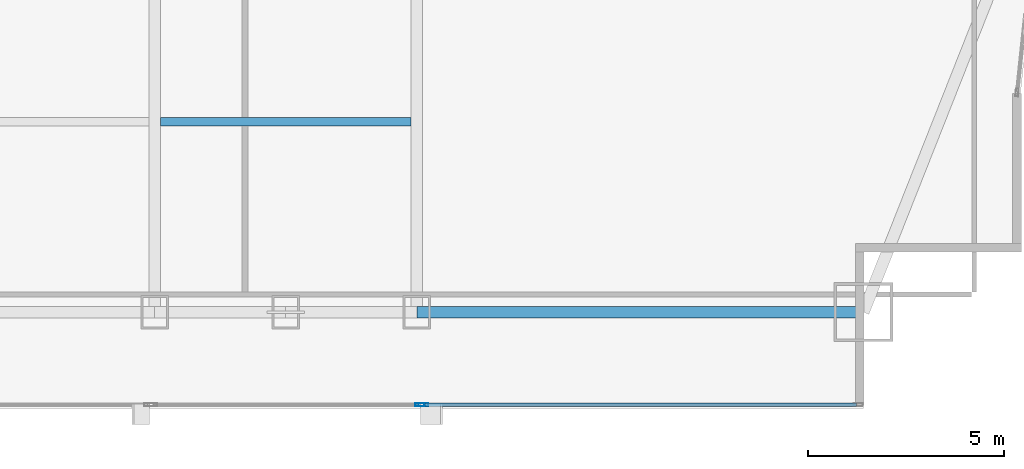
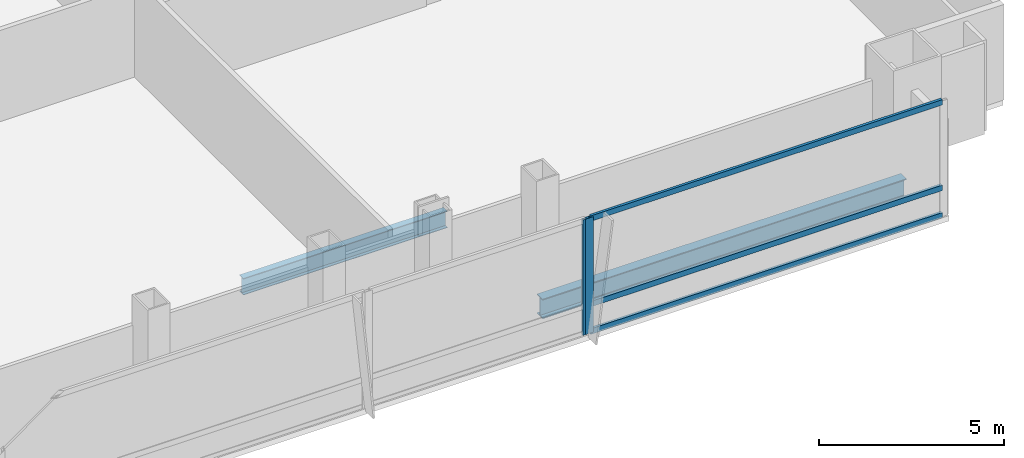
# One storey, part 15 of 30: 5 members, 2 beams, 2 elements without a shape of their own.
"""IFC4 building model written with IfcOpenShell, lengths in metres."""

import ifcopenshell
import ifcopenshell.guid

model = None  # the IFC model being written
_history = None  # IfcOwnerHistory: only IFC2X3 demands one
_inside = {}  # id of a spatial element -> (the spatial element, [elements in it])
_under = {}  # id of a project, library or spatial element -> (it, [spatial elements below it])
_declared = {}  # id of a project -> (the project, [libraries it declares])
_typed = {}  # id of a type object -> (the type object, [elements of that type])
_made_of = {}  # id of a material, layer set ... -> (it, [elements and type objects made of it])


def new_model(schema):
    """Start an empty IFC model of exactly this schema.

    Asked for "IFC4X3", IfcOpenShell would pick the latest addendum, in which some entities
    have other attributes; the version numbers below select the first issue.
    IFC2X3 requires an IfcOwnerHistory on every rooted entity: one is made here for all.
    """
    global model, _history
    if schema == "IFC4X3":
        model = ifcopenshell.file(schema_version=(4, 3, 0, 0))
    else:
        model = ifcopenshell.file(schema=schema)
    _inside.clear()
    _under.clear()
    _declared.clear()
    _typed.clear()
    _made_of.clear()
    _history = None
    if model.schema == "IFC2X3":
        org = make("IfcOrganization", Name="unknown")
        user = make(
            "IfcPersonAndOrganization",
            ThePerson=make("IfcPerson", FamilyName="unknown"),
            TheOrganization=org,
        )
        app = make(
            "IfcApplication",
            ApplicationDeveloper=org,
            Version="unknown",
            ApplicationFullName="unknown",
            ApplicationIdentifier="unknown",
        )
        _history = make(
            "IfcOwnerHistory",
            OwningUser=user,
            OwningApplication=app,
            ChangeAction="ADDED",
            CreationDate=0,
        )
    return model


def make(cls, **values):
    """One entity of the class cls with the attributes given. An attribute that is None is left unset."""
    return model.create_entity(
        cls, **{name: value for name, value in values.items() if value is not None}
    )


def rooted(cls, **values):
    """An entity with a GlobalId (a new one), such as an element, a storey or a relation."""
    return make(cls, GlobalId=ifcopenshell.guid.new(), OwnerHistory=_history, **values)


def si_unit(unit_type, name, prefix=None):
    """IfcSIUnit, for example si_unit("LENGTHUNIT", "METRE", prefix="MILLI")."""
    return make("IfcSIUnit", UnitType=unit_type, Prefix=prefix, Name=name)


def assignment(units):
    """IfcUnitAssignment: the units of a project."""
    return None if units is None else make("IfcUnitAssignment", Units=units)


def point(xyz):
    """IfcCartesianPoint."""
    return None if xyz is None else make("IfcCartesianPoint", Coordinates=xyz)


def direction(xyz):
    """IfcDirection."""
    return None if xyz is None else make("IfcDirection", DirectionRatios=xyz)


def frame(location, z_axis=None, x_axis=None):
    """IfcAxis2Placement3D, a coordinate frame: its origin and axes. An axis left out is left unset."""
    return make(
        "IfcAxis2Placement3D",
        Location=point(location),
        Axis=direction(z_axis),
        RefDirection=direction(x_axis),
    )


def frame_2d(location, x_axis=None):
    """IfcAxis2Placement2D, a coordinate frame in the plane: its origin and x axis."""
    return make(
        "IfcAxis2Placement2D", Location=point(location), RefDirection=direction(x_axis)
    )


def origin():
    """The frame at (0, 0, 0) with its axes left unset."""
    return frame((0.0, 0.0, 0.0))


def origin_2d():
    """The frame at (0, 0) in the plane with its x axis left unset."""
    return frame_2d((0.0, 0.0))


def place(relative_to, where):
    """IfcLocalPlacement: puts the frame where relative to a parent placement (None: the world)."""
    return make(
        "IfcLocalPlacement", PlacementRelTo=relative_to, RelativePlacement=where
    )


def context(
    kind, dimensions, precision=None, world=None, true_north=None, identifier=None
):
    """IfcGeometricRepresentationContext, for example the 3D "Model" context."""
    return make(
        "IfcGeometricRepresentationContext",
        ContextIdentifier=identifier,
        ContextType=kind,
        CoordinateSpaceDimension=dimensions,
        Precision=precision,
        WorldCoordinateSystem=world,
        TrueNorth=true_north,
    )


def subcontext(parent, identifier, kind, view, scale=None):
    """IfcGeometricRepresentationSubContext, for example "Body" below "Model"."""
    return make(
        "IfcGeometricRepresentationSubContext",
        ContextIdentifier=identifier,
        ContextType=kind,
        ParentContext=parent,
        TargetScale=scale,
        TargetView=view,
    )


def project(units=None, contexts=None):
    """IfcProject with its units and contexts."""
    return rooted(
        "IfcProject",
        Name="project",
        RepresentationContexts=contexts,
        UnitsInContext=assignment(units),
    )


def spatial(cls, under=None, at=None, **own):
    """A site, building, storey or space (cls), placed at a placement, below another one or the project."""
    s = rooted(cls, ObjectPlacement=at, **own)
    if under is not None:
        _under.setdefault(under.id(), (under, []))[1].append(s)
    return s


def profile(cls, at=None, kind="AREA", **sizes):
    """A parametric profile (cls). Its sizes go by their IFC names, for example OverallWidth=200.0."""
    return make(cls, ProfileType=kind, Position=at, **sizes)


def hollow_rectangle(**sizes):
    """IfcRectangleHollowProfileDef."""
    return profile("IfcRectangleHollowProfileDef", **sizes)


def i_section(**sizes):
    """IfcIShapeProfileDef."""
    return profile("IfcIShapeProfileDef", **sizes)


def extrude(swept, where, along, depth):
    """IfcExtrudedAreaSolid: the profile swept, set in the frame where, extruded along a direction by depth."""
    return make(
        "IfcExtrudedAreaSolid",
        SweptArea=swept,
        Position=where,
        ExtrudedDirection=direction(along),
        Depth=depth,
    )


def shape(context_of_items, identifier, shape_type, items):
    """IfcShapeRepresentation: the items that make up one representation, for example the "Body"."""
    return make(
        "IfcShapeRepresentation",
        ContextOfItems=context_of_items,
        RepresentationIdentifier=identifier,
        RepresentationType=shape_type,
        Items=items,
    )


def material(Name=None, Category=None):
    """IfcMaterial."""
    return make("IfcMaterial", Name=Name, Category=Category)


def material_profile(
    of_material, cross_section, Name=None, Category=None, Priority=None
):
    """IfcMaterialProfile: a cross section and its material."""
    return make(
        "IfcMaterialProfile",
        Name=Name,
        Material=of_material,
        Profile=cross_section,
        Priority=Priority,
        Category=Category,
    )


def profile_set(profiles, Name=None, composite=None):
    """IfcMaterialProfileSet."""
    return make(
        "IfcMaterialProfileSet",
        Name=Name,
        MaterialProfiles=profiles,
        CompositeProfile=composite,
    )


def made_of(thing, what):
    """Note that an element or type object is made of a material, layer set ...; save() writes the relation."""
    if what is not None:
        _made_of.setdefault(what.id(), (what, []))[1].append(thing)
    return thing


def type_object(cls, material=None, **own):
    """A type object (cls), such as IfcWallType, which elements share."""
    return made_of(rooted(cls, **own), material)


def element(
    cls,
    number,
    at=None,
    inside=None,
    cuts=None,
    type_object=None,
    material=None,
    context=None,
    identifier="Body",
    shape_type=None,
    held_by="IfcProductDefinitionShape",
    body=None,
    shapes=None,
    **own,
):
    """One element of the class cls, such as IfcWall. Its Tag is "e" and its number.

    at: its placement. inside: the storey or other place that contains it. cuts: it is an
    opening in that element (IfcRelVoidsElement). A single representation is given by context,
    identifier, shape_type and body (its items); several are given by shapes. held_by: the class
    of the entity that holds the representations. save() writes the other relations.
    """
    e = rooted(cls, Tag="e%d" % number, ObjectPlacement=at, **own)
    if body is not None:
        shapes = [shape(context, identifier, shape_type, body)]
    if shapes is not None:
        e.Representation = make(held_by, Representations=shapes)
    if inside is not None:
        _inside.setdefault(inside.id(), (inside, []))[1].append(e)
    if cuts is not None:
        rooted(
            "IfcRelVoidsElement", RelatingBuildingElement=cuts, RelatedOpeningElement=e
        )
    if type_object is not None:
        _typed.setdefault(type_object.id(), (type_object, []))[1].append(e)
    return made_of(e, material)


def aggregate(whole, parts):
    """IfcRelAggregates: a whole, such as a stair, and the parts it consists of."""
    return rooted("IfcRelAggregates", RelatingObject=whole, RelatedObjects=parts)


def save(model, path):
    """Write the relations noted so far, then the file.

    IfcRelAggregates (storeys below a building ...), IfcRelContainedInSpatialStructure (elements
    in a storey), IfcRelDefinesByType, IfcRelAssociatesMaterial and IfcRelDeclares: one each for
    every whole, place, type object, material and project.
    """
    for whole, parts in _under.values():
        aggregate(whole, parts)
    for where, things in _inside.values():
        rooted(
            "IfcRelContainedInSpatialStructure",
            RelatedElements=things,
            RelatingStructure=where,
        )
    for kind, things in _typed.values():
        rooted("IfcRelDefinesByType", RelatedObjects=things, RelatingType=kind)
    for what, things in _made_of.values():
        rooted("IfcRelAssociatesMaterial", RelatedObjects=things, RelatingMaterial=what)
    for by, libraries in _declared.values():
        rooted("IfcRelDeclares", RelatingContext=by, RelatedDefinitions=libraries)
    model.write(path)


model = new_model("IFC4")

# Units and contexts
model_context = context("Model", 3, precision=1e-05, world=origin(), true_north=direction((0.0, 1.0)))
body_context = subcontext(model_context, "Body", "Model", "MODEL_VIEW")
ifc_project = project(units=[si_unit("LENGTHUNIT", "METRE"), si_unit("AREAUNIT", "SQUARE_METRE"), si_unit("VOLUMEUNIT", "CUBIC_METRE"), si_unit("PLANEANGLEUNIT", "RADIAN"), si_unit("MASSUNIT", "GRAM", prefix="KILO")], contexts=[model_context])

# Site, building, storey
site_placement = place(None, origin())
site = spatial("IfcSite", under=ifc_project, at=site_placement, CompositionType="ELEMENT")
building_placement = place(site_placement, origin())
building = spatial("IfcBuilding", under=site, at=building_placement, Name="Khoronbel Lancet Exchange", CompositionType="ELEMENT")
storey_placement = place(building_placement, frame((0.0, 0.0, 90.60009765625)))
storey = spatial("IfcBuildingStorey", under=building, at=storey_placement, Name="L21", CompositionType="ELEMENT", Elevation=90.60009765625)

# Beams
ifc_material_1 = material(Name="Steel S355", Category="steel")
ifc_material_profile_1 = material_profile(ifc_material_1, i_section(OverallWidth=0.2099609375, OverallDepth=0.550048828125, WebThickness=0.010986328125, FlangeThickness=0.01708984375, at=origin_2d()), Name="IPE 550")
ifc_profile_set_1 = profile_set([ifc_material_profile_1], Name="Steel S355")
beam_type_1 = type_object("IfcBeamType", Name="BM-BJ2", PredefinedType="JOIST", material=ifc_profile_set_1)
beam_1_placement = place(storey_placement, frame((48.14990234375, 15.0, -0.455078125), z_axis=(1.0, 0.0, 0.0), x_axis=(0.0, 1.0, 0.0)))
element("IfcBeam", 1, at=beam_1_placement, inside=storey, type_object=beam_type_1, Name="Level L21 secondary composite joist J05", PredefinedType="JOIST", context=body_context, shape_type="SweptSolid", body=[
    extrude(i_section(OverallWidth=0.2099609375, OverallDepth=0.550048828125, WebThickness=0.010986328125, FlangeThickness=0.01708984375, at=origin_2d()), origin(), (0.0, 0.0, 1.0), 6.375),
])
ifc_material_profile_2 = material_profile(ifc_material_1, i_section(OverallWidth=0.300048828125, OverallDepth=0.64990234375, WebThickness=0.01611328125, FlangeThickness=0.031005859375, at=origin_2d()), Name="HEB 650")
ifc_profile_set_2 = profile_set([ifc_material_profile_2], Name="Steel S355")
beam_type_2 = type_object("IfcBeamType", Name="BM-BSP1", PredefinedType="SPANDREL", material=ifc_profile_set_2)
beam_2_placement = place(storey_placement, frame((54.675048828125, 10.14990234375, -0.505126953125), z_axis=(1.0, 0.0, 0.0), x_axis=(0.0, 1.0, 0.0)))
element("IfcBeam", 2, at=beam_2_placement, inside=storey, type_object=beam_type_2, Name="Level L21 perimeter spandrel beam SP09", PredefinedType="SPANDREL", context=body_context, shape_type="SweptSolid", body=[
    extrude(i_section(OverallWidth=0.300048828125, OverallDepth=0.64990234375, WebThickness=0.01611328125, FlangeThickness=0.031005859375, at=origin_2d()), origin(), (0.0, 0.0, 1.0), 11.375),
])

# Curtain wall, member
ifc_material_2 = material(Name="Low-E Solar Control Insulating Glass", Category="glass")
curtain_wall_type = type_object("IfcCurtainWallType", Name="CW-2", PredefinedType="NOTDEFINED", material=ifc_material_2)
curtain_wall_1_placement = place(storey_placement, origin())
curtain_wall_1 = element("IfcCurtainWall", 3, at=curtain_wall_1_placement, inside=storey, type_object=curtain_wall_type, Name="Unitised curtain wall CW-L21-SEB", PredefinedType="NOTDEFINED")
ifc_material_3 = material(Name="Bronze-Anodised Aluminium 6063-T6", Category="aluminium")
ifc_material_profile_3 = material_profile(ifc_material_3, hollow_rectangle(XDim=0.0849609375, YDim=0.239990234375, WallThickness=0.006103515625, at=origin_2d()), Name="ALU MULLION 85x240")
ifc_profile_set_3 = profile_set([ifc_material_profile_3], Name="Bronze-Anodised Aluminium 6063-T6")
member_type_1 = type_object("IfcMemberType", Name="MEM-CWM1", PredefinedType="MULLION", material=ifc_profile_set_3)
member_1_placement = place(storey_placement, frame((54.757568359375, 7.7900390625, 0.0), z_axis=(0.0, 0.0, 1.0), x_axis=(0.0, 1.0, 0.0)))
member_1 = element("IfcMember", 4, at=member_1_placement, type_object=member_type_1, Name="CW2 mullion 2", PredefinedType="MULLION", context=body_context, shape_type="SweptSolid", body=[
    extrude(hollow_rectangle(XDim=0.0849609375, YDim=0.239990234375, WallThickness=0.006103515625, at=origin_2d()), origin(), (0.0, 0.0, 1.0), 3.81982421875),
])
aggregate(curtain_wall_1, [member_1])

# Curtain wall, members
curtain_wall_2_placement = place(storey_placement, origin())
curtain_wall_2 = element("IfcCurtainWall", 5, at=curtain_wall_2_placement, inside=storey, type_object=curtain_wall_type, Name="Unitised curtain wall CW-L21-SEV", PredefinedType="NOTDEFINED")
member_2_placement = place(storey_placement, frame((54.842529296875, 7.7900390625, 0.0), z_axis=(0.0, 0.0, 1.0), x_axis=(0.0, 1.0, 0.0)))
member_2 = element("IfcMember", 6, at=member_2_placement, type_object=member_type_1, Name="CW2 mullion 1", PredefinedType="MULLION", context=body_context, shape_type="SweptSolid", body=[
    extrude(hollow_rectangle(XDim=0.0849609375, YDim=0.239990234375, WallThickness=0.006103515625, at=origin_2d()), origin(), (0.0, 0.0, 1.0), 3.81982421875),
])
ifc_material_profile_4 = material_profile(ifc_material_3, hollow_rectangle(XDim=0.0849609375, YDim=0.179931640625, WallThickness=0.0048828125, at=origin_2d()), Name="ALU TRANSOM 85x180")
ifc_profile_set_4 = profile_set([ifc_material_profile_4], Name="Bronze-Anodised Aluminium 6063-T6")
member_type_2 = type_object("IfcMemberType", Name="MEM-CWT1", PredefinedType="USERDEFINED", material=ifc_profile_set_4)
member_3_placement = place(storey_placement, frame((54.885009765625, 7.7900390625, 0.04248046875), z_axis=(1.0, 0.0, 0.0), x_axis=(0.0, 1.0, 0.0)))
member_3 = element("IfcMember", 7, at=member_3_placement, type_object=member_type_2, Name="CW2 transom 1.1", ObjectType="TRANSOM", PredefinedType="USERDEFINED", context=body_context, shape_type="SweptSolid", body=[
    extrude(hollow_rectangle(XDim=0.0849609375, YDim=0.179931640625, WallThickness=0.0048828125, at=origin_2d()), origin(), (0.0, 0.0, 1.0), 10.989990234375),
])
member_4_placement = place(storey_placement, frame((54.885009765625, 7.7900390625, 0.949951171875), z_axis=(1.0, 0.0, 0.0), x_axis=(0.0, 1.0, 0.0)))
member_4 = element("IfcMember", 8, at=member_4_placement, type_object=member_type_2, Name="CW2 transom 1.2", ObjectType="TRANSOM", PredefinedType="USERDEFINED", context=body_context, shape_type="SweptSolid", body=[
    extrude(hollow_rectangle(XDim=0.0849609375, YDim=0.179931640625, WallThickness=0.0048828125, at=origin_2d()), origin(), (0.0, 0.0, 1.0), 10.989990234375),
])
member_5_placement = place(storey_placement, frame((54.885009765625, 7.7900390625, 3.77734375), z_axis=(1.0, 0.0, 0.0), x_axis=(0.0, 1.0, 0.0)))
member_5 = element("IfcMember", 9, at=member_5_placement, type_object=member_type_2, Name="CW2 transom 1.3", ObjectType="TRANSOM", PredefinedType="USERDEFINED", context=body_context, shape_type="SweptSolid", body=[
    extrude(hollow_rectangle(XDim=0.0849609375, YDim=0.179931640625, WallThickness=0.0048828125, at=origin_2d()), origin(), (0.0, 0.0, 1.0), 10.989990234375),
])
aggregate(curtain_wall_2, [member_2, member_3, member_4, member_5])

save(model, "model.ifc")
